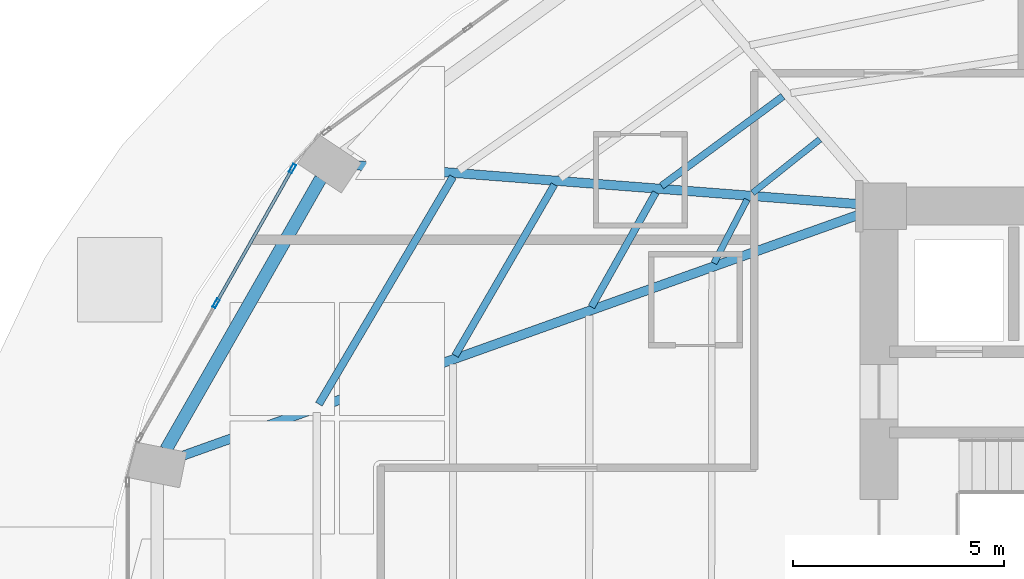
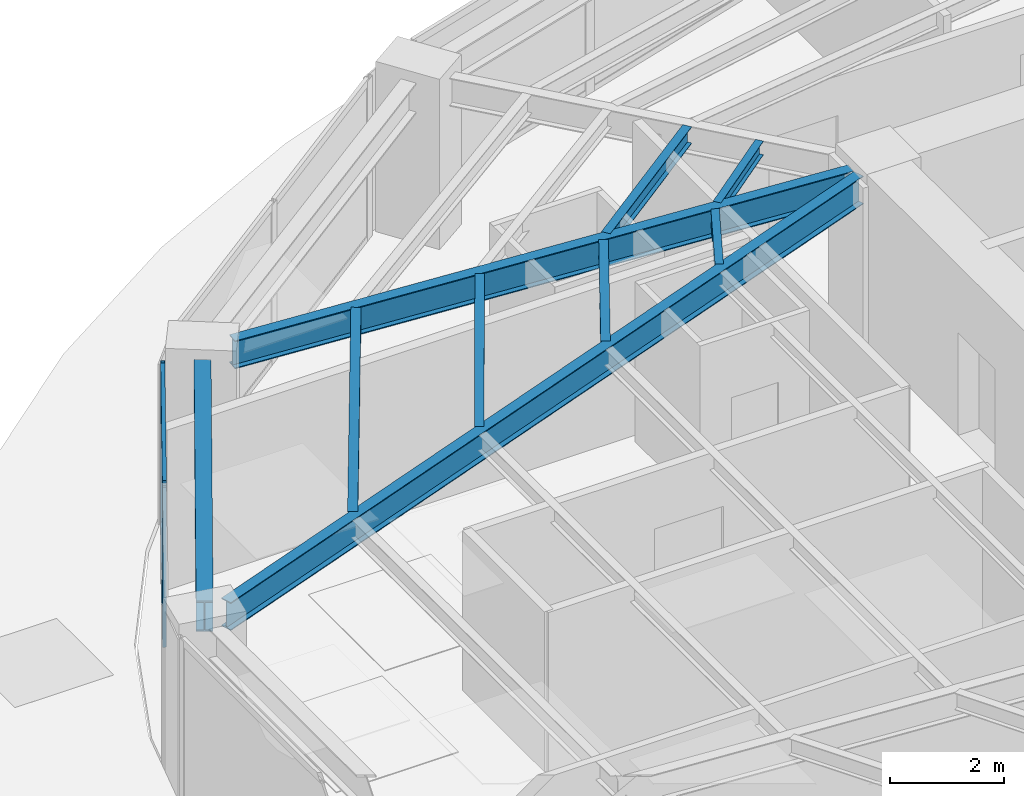
# One storey, part 8 of 25: 9 beams, 4 members, 1 element without a shape of its own.
"""IFC4 building model written with IfcOpenShell, lengths in metres."""

from ifc_helpers import new_model, si_unit, direction, frame, origin, origin_2d, place, context, subcontext, project, spatial, hollow_rectangle, i_section, extrude, material, layer, layer_set, material_profile, profile_set, type_object, element, aggregate, save


model = new_model("IFC4")

# Units and contexts
model_context = context("Model", 3, precision=1e-05, world=origin(), true_north=direction((0.0, 1.0)))
body_context = subcontext(model_context, "Body", "Model", "MODEL_VIEW")
ifc_project = project(units=[si_unit("LENGTHUNIT", "METRE"), si_unit("AREAUNIT", "SQUARE_METRE"), si_unit("VOLUMEUNIT", "CUBIC_METRE"), si_unit("PLANEANGLEUNIT", "RADIAN"), si_unit("MASSUNIT", "GRAM", prefix="KILO")], contexts=[model_context])

# Site, building, storey
site_placement = place(None, origin())
site = spatial("IfcSite", under=ifc_project, at=site_placement, CompositionType="ELEMENT")
building_placement = place(site_placement, origin())
building = spatial("IfcBuilding", under=site, at=building_placement, Name="Lazwardi Medical Tower", CompositionType="ELEMENT")
storey_placement = place(building_placement, frame((0.0, 0.0, 25.199951171875)))
storey = spatial("IfcBuildingStorey", under=building, at=storey_placement, Name="L05", CompositionType="ELEMENT", Elevation=25.199951171875)

# Beams
ifc_material_1 = material(Name="Steel S355", Category="steel")
ifc_material_profile_1 = material_profile(ifc_material_1, i_section(OverallWidth=0.300048828125, OverallDepth=0.64990234375, WebThickness=0.01611328125, FlangeThickness=0.031005859375, at=origin_2d()), Name="HEB 650")
ifc_profile_set_1 = profile_set([ifc_material_profile_1], Name="Steel S355")
beam_type_1 = type_object("IfcBeamType", Name="BM-RB-Z1", PredefinedType="BEAM", material=ifc_profile_set_1)
beam_1_placement = place(storey_placement, frame((13.072021484375, 36.24951171875, 3.10302734375), z_axis=(-0.495829348644, -0.868419977328, 0.0), x_axis=(0.868419977328, -0.495829348644, 0.0)))
element("IfcBeam", 1, at=beam_1_placement, inside=storey, type_object=beam_type_1, Name="Ring beam RB-02 B11 L05", PredefinedType="BEAM", context=body_context, shape_type="SweptSolid", body=[
    extrude(i_section(OverallWidth=0.300048828125, OverallDepth=0.64990234375, WebThickness=0.01611328125, FlangeThickness=0.031005859375, at=origin_2d()), origin(), (0.0, 0.0, 1.0), 7.38916015625),
])
ifc_material_profile_2 = material_profile(ifc_material_1, i_section(OverallWidth=0.219970703125, OverallDepth=0.60009765625, WebThickness=0.011962890625, FlangeThickness=0.01904296875, at=origin_2d()), Name="IPE 600")
ifc_profile_set_2 = profile_set([ifc_material_profile_2], Name="Steel S355")
beam_type_2 = type_object("IfcBeamType", Name="BM-RG-W1", PredefinedType="BEAM", material=ifc_profile_set_2)
beam_2_placement = place(storey_placement, frame((13.8583984375, 36.569580078125, 3.1279296875), z_axis=(0.997024241118, -0.077088667283, 0.0), x_axis=(0.077088667283, 0.997024241118, 0.0)))
element("IfcBeam", 2, at=beam_2_placement, inside=storey, type_object=beam_type_2, Name="Radial girder RG-02 R11 L05", PredefinedType="BEAM", context=body_context, shape_type="SweptSolid", body=[
    extrude(i_section(OverallWidth=0.219970703125, OverallDepth=0.60009765625, WebThickness=0.011962890625, FlangeThickness=0.01904296875, at=origin_2d()), origin(), (0.0, 0.0, 1.0), 12.044189453125),
])
beam_3_placement = place(storey_placement, frame((9.746337890625, 29.66259765625, 3.1279296875), z_axis=(0.941925080425, 0.335823082688, 0.0), x_axis=(-0.335823082688, 0.941925080425, 0.0)))
element("IfcBeam", 3, at=beam_3_placement, inside=storey, type_object=beam_type_2, Name="Radial girder RG-02 R12 L05", PredefinedType="BEAM", context=body_context, shape_type="SweptSolid", body=[
    extrude(i_section(OverallWidth=0.219970703125, OverallDepth=0.60009765625, WebThickness=0.011962890625, FlangeThickness=0.01904296875, at=origin_2d()), origin(), (0.0, 0.0, 1.0), 17.145263671875),
])
ifc_material_profile_3 = material_profile(ifc_material_1, i_section(OverallWidth=0.179931640625, OverallDepth=0.39990234375, WebThickness=0.008544921875, FlangeThickness=0.013427734375, at=origin_2d()), Name="IPE 400")
ifc_profile_set_3 = profile_set([ifc_material_profile_3], Name="Steel S355")
beam_type_3 = type_object("IfcBeamType", Name="BM-SJ-01", PredefinedType="JOIST", material=ifc_profile_set_3)
beam_4_placement = place(storey_placement, frame((16.206787109375, 36.29345703125, 3.22802734375), z_axis=(-0.507886270937, -0.861424132349, 0.0), x_axis=(0.861424132349, -0.507886270937, 0.0)))
element("IfcBeam", 4, at=beam_4_placement, inside=storey, type_object=beam_type_3, Name="Secondary joist SJ-01 R1 B11 L05", PredefinedType="JOIST", context=body_context, shape_type="SweptSolid", body=[
    extrude(i_section(OverallWidth=0.179931640625, OverallDepth=0.39990234375, WebThickness=0.008544921875, FlangeThickness=0.013427734375, at=origin_2d()), origin(), (0.0, 0.0, 1.0), 6.255859375),
])
ifc_material_profile_4 = material_profile(ifc_material_1, i_section(OverallWidth=0.169921875, OverallDepth=0.360107421875, WebThickness=0.008056640625, FlangeThickness=0.0126953125, at=origin_2d()), Name="IPE 360")
ifc_profile_set_4 = profile_set([ifc_material_profile_4], Name="Steel S355")
beam_type_4 = type_object("IfcBeamType", Name="BM-SJ-02", PredefinedType="JOIST", material=ifc_profile_set_4)
beam_5_placement = place(storey_placement, frame((18.60888671875, 36.107421875, 3.248046875), z_axis=(-0.501798442848, -0.86498457949, 0.0), x_axis=(0.86498457949, -0.501798442848, 0.0)))
element("IfcBeam", 5, at=beam_5_placement, inside=storey, type_object=beam_type_4, Name="Secondary joist SJ-02 R2 B11 L05", PredefinedType="JOIST", context=body_context, shape_type="SweptSolid", body=[
    extrude(i_section(OverallWidth=0.169921875, OverallDepth=0.360107421875, WebThickness=0.008056640625, FlangeThickness=0.0126953125, at=origin_2d()), origin(), (0.0, 0.0, 1.0), 4.683349609375),
])
beam_6_placement = place(storey_placement, frame((24.025146484375, 38.19873046875, 3.248046875), z_axis=(-0.804580292353, -0.593843879448, 0.0), x_axis=(0.593843879448, -0.804580292353, 0.0)))
element("IfcBeam", 6, at=beam_6_placement, inside=storey, type_object=beam_type_4, Name="Secondary joist SJ-02 R3 B10 L05", PredefinedType="JOIST", context=body_context, shape_type="SweptSolid", body=[
    extrude(i_section(OverallWidth=0.169921875, OverallDepth=0.360107421875, WebThickness=0.008056640625, FlangeThickness=0.0126953125, at=origin_2d()), origin(), (0.0, 0.0, 1.0), 3.576416015625),
])
beam_7_placement = place(storey_placement, frame((21.011962890625, 35.9208984375, 3.248046875), z_axis=(-0.489974339037, -0.87173685656, 0.0), x_axis=(0.87173685656, -0.489974339037, 0.0)))
element("IfcBeam", 7, at=beam_7_placement, inside=storey, type_object=beam_type_4, Name="Secondary joist SJ-02 R3 B11 L05", PredefinedType="JOIST", context=body_context, shape_type="SweptSolid", body=[
    extrude(i_section(OverallWidth=0.169921875, OverallDepth=0.360107421875, WebThickness=0.008056640625, FlangeThickness=0.0126953125, at=origin_2d()), origin(), (0.0, 0.0, 1.0), 3.111328125),
])
ifc_material_profile_5 = material_profile(ifc_material_1, i_section(OverallWidth=0.14990234375, OverallDepth=0.300048828125, WebThickness=0.007080078125, FlangeThickness=0.0107421875, at=origin_2d()), Name="IPE 300")
ifc_profile_set_5 = profile_set([ifc_material_profile_5], Name="Steel S355")
beam_type_5 = type_object("IfcBeamType", Name="BM-SJ-03", PredefinedType="JOIST", material=ifc_profile_set_5)
beam_8_placement = place(storey_placement, frame((24.901123046875, 37.1806640625, 3.278076171875), z_axis=(-0.782210957226, -0.623013658274, 0.0), x_axis=(0.623013658274, -0.782210957226, 0.0)))
element("IfcBeam", 8, at=beam_8_placement, inside=storey, type_object=beam_type_5, Name="Secondary joist SJ-03 R4 B10 L05", PredefinedType="JOIST", context=body_context, shape_type="SweptSolid", body=[
    extrude(i_section(OverallWidth=0.14990234375, OverallDepth=0.300048828125, WebThickness=0.007080078125, FlangeThickness=0.0107421875, at=origin_2d()), origin(), (0.0, 0.0, 1.0), 2.0380859375),
])
beam_9_placement = place(storey_placement, frame((23.17626953125, 35.752197265625, 3.278076171875), z_axis=(-0.462162985948, -0.88679500135, 0.0), x_axis=(0.88679500135, -0.462162985948, 0.0)))
element("IfcBeam", 9, at=beam_9_placement, inside=storey, type_object=beam_type_5, Name="Secondary joist SJ-03 R4 B11 L05", PredefinedType="JOIST", context=body_context, shape_type="SweptSolid", body=[
    extrude(i_section(OverallWidth=0.14990234375, OverallDepth=0.300048828125, WebThickness=0.007080078125, FlangeThickness=0.0107421875, at=origin_2d()), origin(), (0.0, 0.0, 1.0), 1.69775390625),
])

# Curtain wall, members
ifc_material_2 = material(Name="Anodised bronze aluminium and solar control glazing", Category="aluminium")
ifc_layer = layer(ifc_material_2, 0.199951171875)
ifc_layer_set = layer_set([ifc_layer], Name="Anodised bronze aluminium and solar control glazing")
curtain_wall_type = type_object("IfcCurtainWallType", Name="CW-SYS-02", PredefinedType="NOTDEFINED", material=ifc_layer_set)
curtain_wall_placement = place(storey_placement, origin())
curtain_wall = element("IfcCurtainWall", 10, at=curtain_wall_placement, inside=storey, type_object=curtain_wall_type, Name="L05 Unitised bronze curtain wall CW-02", PredefinedType="NOTDEFINED")
ifc_material_3 = material(Name="Anodised bronze aluminium", Category="aluminium")
ifc_material_profile_6 = material_profile(ifc_material_3, hollow_rectangle(XDim=0.074951171875, YDim=0.219970703125, WallThickness=0.00390625, at=origin_2d()), Name="ALU-MULLION 220x75x4")
ifc_profile_set_6 = profile_set([ifc_material_profile_6], Name="Anodised bronze aluminium")
member_type_1 = type_object("IfcMemberType", Name="CW-MUL-01", PredefinedType="MULLION", material=ifc_profile_set_6)
member_1_placement = place(storey_placement, frame((12.4033203125, 36.488525390625, 0.0), z_axis=(0.0, 0.0, 1.0), x_axis=(0.870111838823, -0.492854327303, 0.0)))
member_1 = element("IfcMember", 11, at=member_1_placement, type_object=member_type_1, Name="CW-02 mullion 1", PredefinedType="MULLION", context=body_context, shape_type="SweptSolid", body=[
    extrude(hollow_rectangle(XDim=0.074951171875, YDim=0.219970703125, WallThickness=0.00390625, at=origin_2d()), origin(), (0.0, 0.0, 1.0), 3.427978515625),
])
member_2_placement = place(storey_placement, frame((10.5947265625, 33.29541015625, 0.0), z_axis=(0.0, 0.0, 1.0), x_axis=(0.870111838823, -0.492854327303, 0.0)))
member_2 = element("IfcMember", 12, at=member_2_placement, type_object=member_type_1, Name="CW-02 mullion 2", PredefinedType="MULLION", context=body_context, shape_type="SweptSolid", body=[
    extrude(hollow_rectangle(XDim=0.074951171875, YDim=0.219970703125, WallThickness=0.00390625, at=origin_2d()), origin(), (0.0, 0.0, 1.0), 3.427978515625),
])
ifc_material_profile_7 = material_profile(ifc_material_3, hollow_rectangle(XDim=0.074951171875, YDim=0.159912109375, WallThickness=0.00390625, at=origin_2d()), Name="ALU-TRANSOM 160x75x4")
ifc_profile_set_7 = profile_set([ifc_material_profile_7], Name="Anodised bronze aluminium")
member_type_2 = type_object("IfcMemberType", Name="CW-TRN-01", PredefinedType="USERDEFINED", material=ifc_profile_set_7)
member_3_placement = place(storey_placement, frame((12.384765625, 36.4560546875, 0.03759765625), z_axis=(-0.49285148925, -0.870113446365, 0.0), x_axis=(0.870113446365, -0.49285148925, 0.0)))
member_3 = element("IfcMember", 13, at=member_3_placement, type_object=member_type_2, Name="CW-02 transom 1.1", ObjectType="TRANSOM", PredefinedType="USERDEFINED", context=body_context, shape_type="SweptSolid", body=[
    extrude(hollow_rectangle(XDim=0.074951171875, YDim=0.159912109375, WallThickness=0.00390625, at=origin_2d()), origin(), (0.0, 0.0, 1.0), 3.594970703125),
])
member_4_placement = place(storey_placement, frame((12.384765625, 36.4560546875, 3.390625), z_axis=(-0.49285148925, -0.870113446365, 0.0), x_axis=(0.870113446365, -0.49285148925, 0.0)))
member_4 = element("IfcMember", 14, at=member_4_placement, type_object=member_type_2, Name="CW-02 transom 1.2", ObjectType="TRANSOM", PredefinedType="USERDEFINED", context=body_context, shape_type="SweptSolid", body=[
    extrude(hollow_rectangle(XDim=0.074951171875, YDim=0.159912109375, WallThickness=0.00390625, at=origin_2d()), origin(), (0.0, 0.0, 1.0), 3.594970703125),
])
aggregate(curtain_wall, [member_1, member_2, member_3, member_4])

save(model, "model.ifc")
